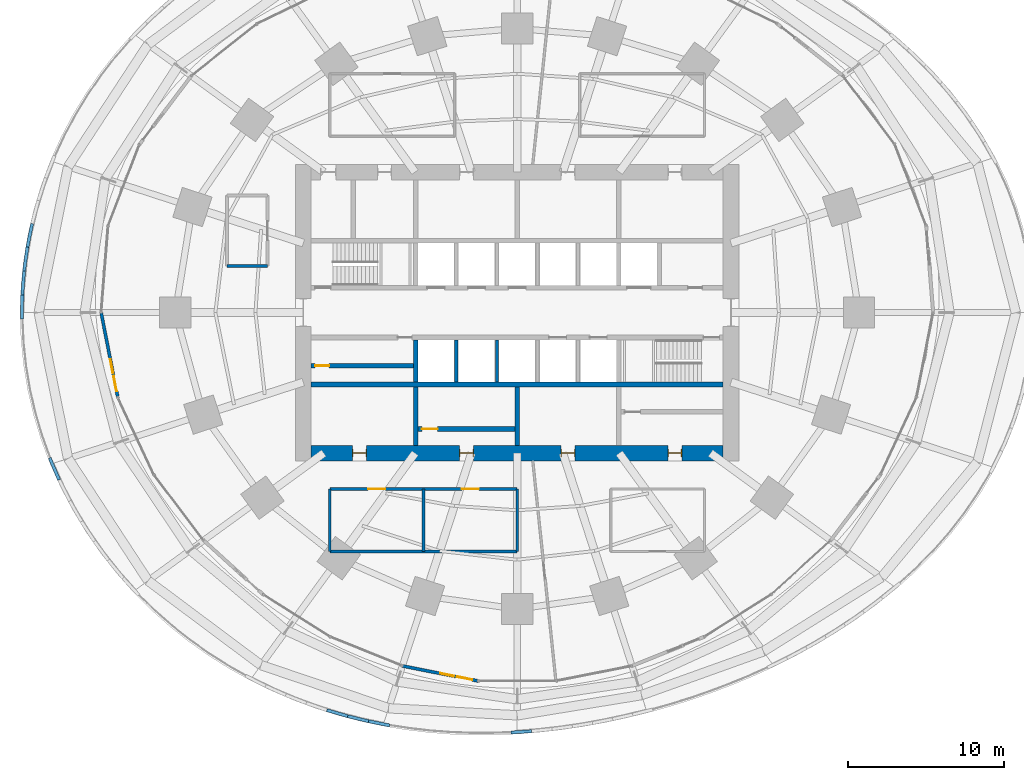
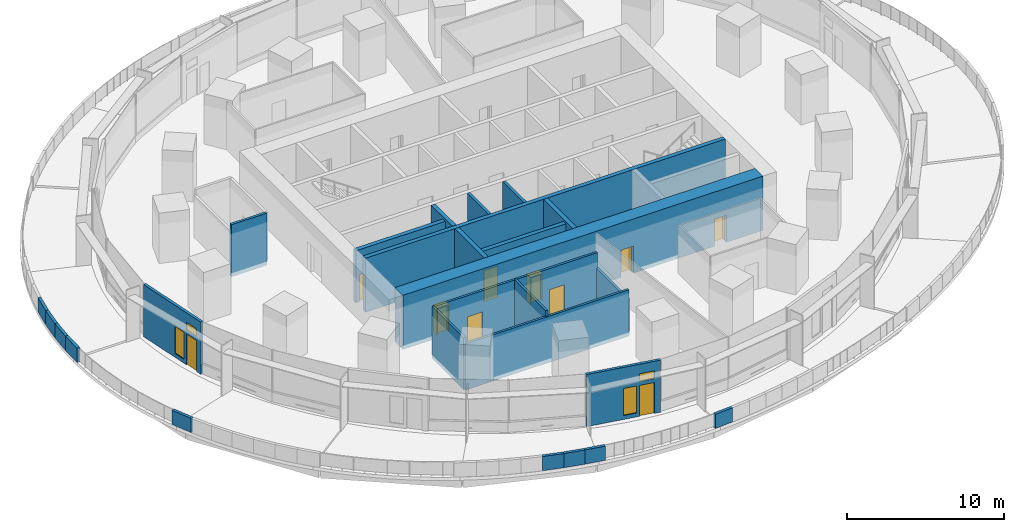
# One storey, part 12 of 20: 26 walls, 10 doors, 4 windows, 14 openings.
"""IFC4 building model written with IfcOpenShell, lengths in metres."""

from ifc_helpers import new_model, si_unit, direction, frame, frame_2d, origin, place, context, subcontext, project, spatial, rectangle, extrude, material, layer, layer_set, type_object, element, fill, save


model = new_model("IFC4")

# Units and contexts
model_context = context("Model", 3, precision=1e-05, world=origin(), true_north=direction((0.0, 1.0)))
body_context = subcontext(model_context, "Body", "Model", "MODEL_VIEW")
ifc_project = project(units=[si_unit("LENGTHUNIT", "METRE"), si_unit("AREAUNIT", "SQUARE_METRE"), si_unit("VOLUMEUNIT", "CUBIC_METRE"), si_unit("PLANEANGLEUNIT", "RADIAN"), si_unit("MASSUNIT", "GRAM", prefix="KILO")], contexts=[model_context])

# Site, building, storey
site_placement = place(None, origin())
site = spatial("IfcSite", under=ifc_project, at=site_placement, CompositionType="ELEMENT")
building_placement = place(site_placement, origin())
building = spatial("IfcBuilding", under=site, at=building_placement, Name="Marramba Exchange Tower", CompositionType="ELEMENT")
storey_placement = place(building_placement, frame((0.0, 0.0, 19.60009765625)))
storey = spatial("IfcBuildingStorey", under=building, at=storey_placement, Name="L04", CompositionType="ELEMENT", Elevation=19.60009765625)

# Wall
ifc_material_1 = material(Name="Plasterboard on staggered double steel studs, acoustic insulation", Category="steel")
ifc_layer_1 = layer(ifc_material_1, 0.169921875)
ifc_layer_set_1 = layer_set([ifc_layer_1], Name="Acoustic partition 170")
wall_type_1 = type_object("IfcWallType", Name="Acoustic partition 170", PredefinedType="PARTITIONING", material=ifc_layer_set_1)
wall_1_placement = place(storey_placement, frame((-12.0, -15.300048828125, 0.0), z_axis=(0.0, 0.0, 1.0), x_axis=(0.0, 1.0, 0.0)))
element("IfcWall", 1, at=wall_1_placement, inside=storey, type_object=wall_type_1, Name="Acoustic partition L04 01", PredefinedType="PARTITIONING", context=body_context, shape_type="SweptSolid", body=[
    extrude(rectangle(XDim=4.0, YDim=0.169921875, at=frame_2d((2.0, 0.0))), origin(), (0.0, 0.0, 1.0), 4.039794921875),
])

# Wall, openings, doors
wall_2_placement = place(storey_placement, frame((-12.0, -11.300048828125, 0.0), z_axis=(0.0, 0.0, 1.0), x_axis=(1.0, 0.0, 0.0)))
wall_2 = element("IfcWall", 2, at=wall_2_placement, inside=storey, type_object=wall_type_1, Name="Acoustic partition L04 02", PredefinedType="PARTITIONING", context=body_context, shape_type="SweptSolid", body=[
    extrude(rectangle(XDim=12.0, YDim=0.169921875, at=frame_2d((6.0, 0.0))), origin(), (0.0, 0.0, 1.0), 4.039794921875),
])
opening_1_placement = place(wall_2_placement, frame((2.449951171875, 0.0, 0.0)))
opening_1 = element("IfcOpeningElement", 3, at=opening_1_placement, cuts=wall_2, Name="Opening D15", PredefinedType="OPENING", context=body_context, shape_type="SweptSolid", body=[
    extrude(rectangle(XDim=1.10009765625, YDim=2.39990234375, at=frame_2d((0.550048828125, 1.199951171875))), frame((0.0, 0.094970703125, 0.0), z_axis=(0.0, -1.0, 0.0), x_axis=(1.0, 0.0, 0.0)), (0.0, 0.0, 1.0), 0.18994140625),
])
opening_2_placement = place(wall_2_placement, frame((8.449951171875, 0.0, 0.0)))
opening_2 = element("IfcOpeningElement", 4, at=opening_2_placement, cuts=wall_2, Name="Opening D15", PredefinedType="OPENING", context=body_context, shape_type="SweptSolid", body=[
    extrude(rectangle(XDim=1.10009765625, YDim=2.39990234375, at=frame_2d((0.550048828125, 1.199951171875))), frame((0.0, 0.094970703125, 0.0), z_axis=(0.0, -1.0, 0.0), x_axis=(1.0, 0.0, 0.0)), (0.0, 0.0, 1.0), 0.18994140625),
])
ifc_material_2 = material(Name="Timber door", Category="wood")
door_type_1 = type_object("IfcDoorType", Name="Glazed meeting room door 1100x2400", OperationType="SINGLE_SWING_LEFT", PredefinedType="DOOR", material=ifc_material_2)
door_1_placement = place(opening_1_placement, frame((1.10009765625, 0.0, 0.0), z_axis=(0.0, 0.0, 1.0), x_axis=(-1.0, 0.0, 0.0)))
door_1 = element("IfcDoor", 5, at=door_1_placement, inside=storey, type_object=door_type_1, Name="D15 Meeting Room 1 L04", OperationType="SINGLE_SWING_RIGHT", OverallHeight=2.39990234375, OverallWidth=1.10009765625, PredefinedType="DOOR", context=body_context, shape_type="SweptSolid", body=[
    extrude(rectangle(XDim=1.10009765625, YDim=2.39990234375, at=frame_2d((0.550048828125, 1.199951171875))), frame((0.0, 0.025146484375, 0.0), z_axis=(0.0, -1.0, 0.0), x_axis=(1.0, 0.0, 0.0)), (0.0, 0.0, 1.0), 0.050048828125),
])
fill(opening_1, door_1)
door_2_placement = place(opening_2_placement, frame((1.10009765625, 0.0, 0.0), z_axis=(0.0, 0.0, 1.0), x_axis=(-1.0, 0.0, 0.0)))
door_2 = element("IfcDoor", 6, at=door_2_placement, inside=storey, type_object=door_type_1, Name="D15 Meeting Room 2 L04", OperationType="SINGLE_SWING_RIGHT", OverallHeight=2.39990234375, OverallWidth=1.10009765625, PredefinedType="DOOR", context=body_context, shape_type="SweptSolid", body=[
    extrude(rectangle(XDim=1.10009765625, YDim=2.39990234375, at=frame_2d((0.550048828125, 1.199951171875))), frame((0.0, 0.025146484375, 0.0), z_axis=(0.0, -1.0, 0.0), x_axis=(1.0, 0.0, 0.0)), (0.0, 0.0, 1.0), 0.050048828125),
])
fill(opening_2, door_2)

# Walls
wall_3_placement = place(storey_placement, frame((-6.0, -11.300048828125, 0.0), z_axis=(0.0, 0.0, 1.0), x_axis=(0.0, -1.0, 0.0)))
element("IfcWall", 7, at=wall_3_placement, inside=storey, type_object=wall_type_1, Name="Acoustic partition L04 03", PredefinedType="PARTITIONING", context=body_context, shape_type="SweptSolid", body=[
    extrude(rectangle(XDim=4.0, YDim=0.169921875, at=frame_2d((2.0, 0.0))), origin(), (0.0, 0.0, 1.0), 4.039794921875),
])
wall_4_placement = place(storey_placement, frame((0.0, -15.300048828125, 0.0), z_axis=(0.0, 0.0, 1.0), x_axis=(-1.0, 0.0, 0.0)))
element("IfcWall", 8, at=wall_4_placement, inside=storey, type_object=wall_type_1, Name="Acoustic partition L04 04", PredefinedType="PARTITIONING", context=body_context, shape_type="SweptSolid", body=[
    extrude(rectangle(XDim=12.0, YDim=0.169921875, at=frame_2d((6.0, 0.0))), origin(), (0.0, 0.0, 1.0), 3.5859375),
])
wall_5_placement = place(storey_placement, frame((0.0, -11.300048828125, 0.0), z_axis=(0.0, 0.0, 1.0), x_axis=(0.0, -1.0, 0.0)))
element("IfcWall", 9, at=wall_5_placement, inside=storey, type_object=wall_type_1, Name="Acoustic partition L04 05", PredefinedType="PARTITIONING", context=body_context, shape_type="SweptSolid", body=[
    extrude(rectangle(XDim=4.0, YDim=0.169921875, at=frame_2d((2.0, 0.0))), origin(), (0.0, 0.0, 1.0), 2.83984375),
])
ifc_material_3 = material(Name="Concrete N50", Category="concrete")
ifc_layer_2 = layer(ifc_material_3, 0.199951171875)
ifc_layer_set_2 = layer_set([ifc_layer_2], Name="Core shaft wall 200")
wall_type_2 = type_object("IfcWallType", Name="Core shaft wall 200", PredefinedType="SHEAR", material=ifc_layer_set_2)
for number, where, z_axis, x_axis, name in (
    (10, (-3.89990234375, -1.75, 0.0), (0.0, 0.0, 1.0), (0.0, -1.0, 0.0), "Core wall SHS1 L04"),
    (11, (-1.300048828125, -1.75, 0.0), (0.0, 0.0, 1.0), (0.0, -1.0, 0.0), "Core wall SHS2 L04"),
):
    element("IfcWall", number, at=place(storey_placement, frame(where, z_axis=z_axis, x_axis=x_axis)), inside=storey, type_object=wall_type_2, Name=name, PredefinedType="SHEAR", context=body_context, shape_type="SweptSolid", body=[
        extrude(rectangle(XDim=2.699951171875, YDim=0.199951171875, at=frame_2d((1.35009765625, 0.0))), origin(), (0.0, 0.0, 1.0), 4.199951171875),
    ])

# Wall, openings, doors
ifc_layer_3 = layer(ifc_material_3, 1.0)
ifc_layer_set_3 = layer_set([ifc_layer_3], Name="Core wall 1000")
wall_type_3 = type_object("IfcWallType", Name="Core wall 1000", PredefinedType="SHEAR", material=ifc_layer_set_3)
wall_6_placement = place(storey_placement, frame((-13.199951171875, -9.0, 0.0), z_axis=(0.0, 0.0, 1.0), x_axis=(1.0, 0.0, 0.0)))
wall_6 = element("IfcWall", 12, at=wall_6_placement, inside=storey, type_object=wall_type_3, Name="Core wall S L04", PredefinedType="SHEAR", context=body_context, shape_type="SweptSolid", body=[
    extrude(rectangle(XDim=26.39990234375, YDim=1.0, at=frame_2d((13.199951171875, 0.0))), origin(), (0.0, 0.0, 1.0), 4.199951171875),
])
opening_3_placement = place(wall_6_placement, frame((2.64990234375, 0.0, 0.0)))
opening_3 = element("IfcOpeningElement", 13, at=opening_3_placement, cuts=wall_6, Name="Opening D5", PredefinedType="OPENING", context=body_context, shape_type="SweptSolid", body=[
    extrude(rectangle(XDim=0.89990234375, YDim=2.10009765625, at=frame_2d((0.449951171875, 1.050048828125))), frame((0.0, 0.510009765625, 0.0), z_axis=(0.0, -1.0, 0.0), x_axis=(1.0, 0.0, 0.0)), (0.0, 0.0, 1.0), 1.02001953125),
])
opening_4_placement = place(wall_6_placement, frame((9.5, 0.0, 0.0)))
opening_4 = element("IfcOpeningElement", 14, at=opening_4_placement, cuts=wall_6, Name="Opening D5", PredefinedType="OPENING", context=body_context, shape_type="SweptSolid", body=[
    extrude(rectangle(XDim=0.89990234375, YDim=2.10009765625, at=frame_2d((0.449951171875, 1.050048828125))), frame((0.0, 0.510009765625, 0.0), z_axis=(0.0, -1.0, 0.0), x_axis=(1.0, 0.0, 0.0)), (0.0, 0.0, 1.0), 1.02001953125),
])
opening_5_placement = place(wall_6_placement, frame((16.0, 0.0, 0.0)))
opening_5 = element("IfcOpeningElement", 15, at=opening_5_placement, cuts=wall_6, Name="Opening D5", PredefinedType="OPENING", context=body_context, shape_type="SweptSolid", body=[
    extrude(rectangle(XDim=0.89990234375, YDim=2.10009765625, at=frame_2d((0.449951171875, 1.050048828125))), frame((0.0, 0.510009765625, 0.0), z_axis=(0.0, -1.0, 0.0), x_axis=(1.0, 0.0, 0.0)), (0.0, 0.0, 1.0), 1.02001953125),
])
opening_6_placement = place(wall_6_placement, frame((22.85009765625, 0.0, 0.0)))
opening_6 = element("IfcOpeningElement", 16, at=opening_6_placement, cuts=wall_6, Name="Opening D5", PredefinedType="OPENING", context=body_context, shape_type="SweptSolid", body=[
    extrude(rectangle(XDim=0.89990234375, YDim=2.10009765625, at=frame_2d((0.449951171875, 1.050048828125))), frame((0.0, 0.510009765625, 0.0), z_axis=(0.0, -1.0, 0.0), x_axis=(1.0, 0.0, 0.0)), (0.0, 0.0, 1.0), 1.02001953125),
])
ifc_material_4 = material(Name="Steel-framed door", Category="steel")
door_type_2 = type_object("IfcDoorType", Name="Service door 900x2100", OperationType="SINGLE_SWING_LEFT", PredefinedType="DOOR", material=ifc_material_4)
door_3_placement = place(opening_3_placement, origin())
door_3 = element("IfcDoor", 17, at=door_3_placement, inside=storey, type_object=door_type_2, Name="D5 ahu L04", OperationType="SINGLE_SWING_LEFT", OverallHeight=2.10009765625, OverallWidth=0.89990234375, PredefinedType="DOOR", context=body_context, shape_type="SweptSolid", body=[
    extrude(rectangle(XDim=0.81982421875, YDim=2.06005859375, at=frame_2d((0.449951171875, 1.030029296875))), frame((0.0, 0.02490234375, 0.0), z_axis=(0.0, -1.0, 0.0), x_axis=(1.0, 0.0, 0.0)), (0.0, 0.0, 1.0), 0.050048828125),
    extrude(rectangle(XDim=0.04, YDim=2.10009765625, at=frame_2d((0.02001953125, 1.050048828125))), frame((0.0, 0.25, 0.0), z_axis=(0.0, -1.0, 0.0), x_axis=(1.0, 0.0, 0.0)), (0.0, 0.0, 1.0), 0.5),
    extrude(rectangle(XDim=0.04, YDim=2.10009765625, at=frame_2d((0.8798828125, 1.050048828125))), frame((0.0, 0.25, 0.0), z_axis=(0.0, -1.0, 0.0), x_axis=(1.0, 0.0, 0.0)), (0.0, 0.0, 1.0), 0.5),
    extrude(rectangle(XDim=0.81982421875, YDim=0.04, at=frame_2d((0.449951171875, 2.080078125))), frame((0.0, 0.25, 0.0), z_axis=(0.0, -1.0, 0.0), x_axis=(1.0, 0.0, 0.0)), (0.0, 0.0, 1.0), 0.5),
])
fill(opening_3, door_3)
door_4_placement = place(opening_4_placement, origin())
door_4 = element("IfcDoor", 18, at=door_4_placement, inside=storey, type_object=door_type_2, Name="D5 store L04", OperationType="SINGLE_SWING_RIGHT", OverallHeight=2.10009765625, OverallWidth=0.89990234375, PredefinedType="DOOR", context=body_context, shape_type="SweptSolid", body=[
    extrude(rectangle(XDim=0.81982421875, YDim=2.06005859375, at=frame_2d((0.449951171875, 1.030029296875))), frame((0.0, 0.02490234375, 0.0), z_axis=(0.0, -1.0, 0.0), x_axis=(1.0, 0.0, 0.0)), (0.0, 0.0, 1.0), 0.050048828125),
    extrude(rectangle(XDim=0.04, YDim=2.10009765625, at=frame_2d((0.02001953125, 1.050048828125))), frame((0.0, 0.25, 0.0), z_axis=(0.0, -1.0, 0.0), x_axis=(1.0, 0.0, 0.0)), (0.0, 0.0, 1.0), 0.5),
    extrude(rectangle(XDim=0.04, YDim=2.10009765625, at=frame_2d((0.8798828125, 1.050048828125))), frame((0.0, 0.25, 0.0), z_axis=(0.0, -1.0, 0.0), x_axis=(1.0, 0.0, 0.0)), (0.0, 0.0, 1.0), 0.5),
    extrude(rectangle(XDim=0.81982421875, YDim=0.04, at=frame_2d((0.449951171875, 2.080078125))), frame((0.0, 0.25, 0.0), z_axis=(0.0, -1.0, 0.0), x_axis=(1.0, 0.0, 0.0)), (0.0, 0.0, 1.0), 0.5),
])
fill(opening_4, door_4)
door_5_placement = place(opening_5_placement, origin())
door_5 = element("IfcDoor", 19, at=door_5_placement, inside=storey, type_object=door_type_2, Name="D5 switch L04", OperationType="SINGLE_SWING_RIGHT", OverallHeight=2.10009765625, OverallWidth=0.89990234375, PredefinedType="DOOR", context=body_context, shape_type="SweptSolid", body=[
    extrude(rectangle(XDim=0.81982421875, YDim=2.06005859375, at=frame_2d((0.449951171875, 1.030029296875))), frame((0.0, 0.02490234375, 0.0), z_axis=(0.0, -1.0, 0.0), x_axis=(1.0, 0.0, 0.0)), (0.0, 0.0, 1.0), 0.050048828125),
    extrude(rectangle(XDim=0.04, YDim=2.10009765625, at=frame_2d((0.02001953125, 1.050048828125))), frame((0.0, 0.25, 0.0), z_axis=(0.0, -1.0, 0.0), x_axis=(1.0, 0.0, 0.0)), (0.0, 0.0, 1.0), 0.5),
    extrude(rectangle(XDim=0.04, YDim=2.10009765625, at=frame_2d((0.8798828125, 1.050048828125))), frame((0.0, 0.25, 0.0), z_axis=(0.0, -1.0, 0.0), x_axis=(1.0, 0.0, 0.0)), (0.0, 0.0, 1.0), 0.5),
    extrude(rectangle(XDim=0.81982421875, YDim=0.04, at=frame_2d((0.449951171875, 2.080078125))), frame((0.0, 0.25, 0.0), z_axis=(0.0, -1.0, 0.0), x_axis=(1.0, 0.0, 0.0)), (0.0, 0.0, 1.0), 0.5),
])
fill(opening_5, door_5)
door_6_placement = place(opening_6_placement, origin())
door_6 = element("IfcDoor", 20, at=door_6_placement, inside=storey, type_object=door_type_2, Name="D5 cstore L04", OperationType="SINGLE_SWING_RIGHT", OverallHeight=2.10009765625, OverallWidth=0.89990234375, PredefinedType="DOOR", context=body_context, shape_type="SweptSolid", body=[
    extrude(rectangle(XDim=0.81982421875, YDim=2.06005859375, at=frame_2d((0.449951171875, 1.030029296875))), frame((0.0, 0.02490234375, 0.0), z_axis=(0.0, -1.0, 0.0), x_axis=(1.0, 0.0, 0.0)), (0.0, 0.0, 1.0), 0.050048828125),
    extrude(rectangle(XDim=0.04, YDim=2.10009765625, at=frame_2d((0.02001953125, 1.050048828125))), frame((0.0, 0.25, 0.0), z_axis=(0.0, -1.0, 0.0), x_axis=(1.0, 0.0, 0.0)), (0.0, 0.0, 1.0), 0.5),
    extrude(rectangle(XDim=0.04, YDim=2.10009765625, at=frame_2d((0.8798828125, 1.050048828125))), frame((0.0, 0.25, 0.0), z_axis=(0.0, -1.0, 0.0), x_axis=(1.0, 0.0, 0.0)), (0.0, 0.0, 1.0), 0.5),
    extrude(rectangle(XDim=0.81982421875, YDim=0.04, at=frame_2d((0.449951171875, 2.080078125))), frame((0.0, 0.25, 0.0), z_axis=(0.0, -1.0, 0.0), x_axis=(1.0, 0.0, 0.0)), (0.0, 0.0, 1.0), 0.5),
])
fill(opening_6, door_6)

# Walls
ifc_layer_4 = layer(ifc_material_3, 0.300048828125)
ifc_layer_set_4 = layer_set([ifc_layer_4], Name="Core wall 300")
wall_type_4 = type_object("IfcWallType", Name="Core wall 300", PredefinedType="SHEAR", material=ifc_layer_set_4)
wall_7_placement = place(storey_placement, frame((-13.199951171875, -4.60009765625, 0.0), z_axis=(0.0, 0.0, 1.0), x_axis=(1.0, 0.0, 0.0)))
element("IfcWall", 21, at=wall_7_placement, inside=storey, type_object=wall_type_4, Name="Core wall BS L04", PredefinedType="SHEAR", context=body_context, shape_type="SweptSolid", body=[
    extrude(rectangle(XDim=26.39990234375, YDim=0.300048828125, at=frame_2d((13.199951171875, 0.0))), origin(), (0.0, 0.0, 1.0), 4.199951171875),
])
wall_8_placement = place(storey_placement, frame((-6.5, -1.75, 0.0), z_axis=(0.0, 0.0, 1.0), x_axis=(0.0, -1.0, 0.0)))
element("IfcWall", 22, at=wall_8_placement, inside=storey, type_object=wall_type_4, Name="Core wall X0Sa L04", PredefinedType="SHEAR", context=body_context, shape_type="SweptSolid", body=[
    extrude(rectangle(XDim=2.699951171875, YDim=0.300048828125, at=frame_2d((1.35009765625, 0.0))), origin(), (0.0, 0.0, 1.0), 4.199951171875),
])
for number, where, z_axis, x_axis, name in (
    (23, (-6.5, -4.75, 0.0), (0.0, 0.0, 1.0), (0.0, -1.0, 0.0), "Core wall X0Sb L04"),
    (24, (0.0, -4.75, 0.0), (0.0, 0.0, 1.0), (0.0, -1.0, 0.0), "Core wall MS L04"),
):
    element("IfcWall", number, at=place(storey_placement, frame(where, z_axis=z_axis, x_axis=x_axis)), inside=storey, type_object=wall_type_4, Name=name, PredefinedType="SHEAR", context=body_context, shape_type="SweptSolid", body=[
        extrude(rectangle(XDim=3.75, YDim=0.300048828125, at=frame_2d((1.875, 0.0))), origin(), (0.0, 0.0, 1.0), 4.199951171875),
    ])

# Wall, openings, door, windows
ifc_material_5 = material(Name="Aluminium-framed bronze cladding on steel studs", Category="steel")
ifc_layer_5 = layer(ifc_material_5, 0.199951171875)
ifc_layer_set_5 = layer_set([ifc_layer_5], Name="Door screen wall 200")
wall_type_5 = type_object("IfcWallType", Name="Door screen wall 200", PredefinedType="SOLIDWALL", material=ifc_layer_set_5)
wall_9_placement = place(storey_placement, frame((-26.64990234375, 0.0, 0.0), z_axis=(0.0, 0.0, 1.0), x_axis=(0.192217304828, -0.981352387129, 0.0)))
wall_9 = element("IfcWall", 25, at=wall_9_placement, inside=storey, type_object=wall_type_5, Name="Door screen L04 F16", PredefinedType="SOLIDWALL", context=body_context, shape_type="SweptSolid", body=[
    extrude(rectangle(XDim=5.54150390625, YDim=0.199951171875, at=frame_2d((2.770751953125, 0.0))), origin(), (0.0, 0.0, 1.0), 4.039794921875),
])
opening_7_placement = place(wall_9_placement, frame((4.1416015625, 0.0, 0.0)))
opening_7 = element("IfcOpeningElement", 26, at=opening_7_placement, cuts=wall_9, Name="Opening D6", PredefinedType="OPENING", context=body_context, shape_type="SweptSolid", body=[
    extrude(rectangle(XDim=1.0, YDim=2.39990234375, at=frame_2d((0.5, 1.199951171875))), frame((0.0, 0.10986328125, 0.0), z_axis=(0.0, -1.0, 0.0), x_axis=(1.0, 0.0, 0.0)), (0.0, 0.0, 1.0), 0.219970703125),
])
opening_8_placement = place(wall_9_placement, frame((3.04150390625, 0.0, 0.300048828125)))
opening_8 = element("IfcOpeningElement", 27, at=opening_8_placement, cuts=wall_9, Name="Opening W4", PredefinedType="OPENING", context=body_context, shape_type="SweptSolid", body=[
    extrude(rectangle(XDim=0.89990234375, YDim=2.10009765625, at=frame_2d((0.449951171875, 1.050048828125))), frame((0.0, 0.10986328125, 0.0), z_axis=(0.0, -1.0, 0.0), x_axis=(1.0, 0.0, 0.0)), (0.0, 0.0, 1.0), 0.219970703125),
])
opening_9_placement = place(wall_9_placement, frame((4.1416015625, 0.0, 2.699951171875)))
opening_9 = element("IfcOpeningElement", 28, at=opening_9_placement, cuts=wall_9, Name="Opening W5", PredefinedType="OPENING", context=body_context, shape_type="SweptSolid", body=[
    extrude(rectangle(XDim=1.0, YDim=0.60009765625, at=frame_2d((0.5, 0.300048828125))), frame((0.0, 0.10986328125, 0.0), z_axis=(0.0, -1.0, 0.0), x_axis=(1.0, 0.0, 0.0)), (0.0, 0.0, 1.0), 0.219970703125),
])
ifc_material_6 = material(Name="Aluminium-framed glazed door, bronze", Category="aluminium")
door_type_3 = type_object("IfcDoorType", Name="Terrace door 1000x2400", OperationType="SINGLE_SWING_LEFT", PredefinedType="DOOR", material=ifc_material_6)
door_7_placement = place(opening_7_placement, frame((1.0, 0.0, 0.0), z_axis=(0.0, 0.0, 1.0), x_axis=(-1.0, 0.0, 0.0)))
door_7 = element("IfcDoor", 29, at=door_7_placement, inside=storey, type_object=door_type_3, Name="D6 L04", OperationType="SINGLE_SWING_RIGHT", OverallHeight=2.39990234375, OverallWidth=1.0, PredefinedType="DOOR", context=body_context, shape_type="SweptSolid", body=[
    extrude(rectangle(XDim=1.0, YDim=2.39990234375, at=frame_2d((0.5, 1.199951171875))), frame((0.0, 0.025146484375, 0.0), z_axis=(0.0, -1.0, 0.0), x_axis=(1.0, 0.0, 0.0)), (0.0, 0.0, 1.0), 0.050048828125),
])
fill(opening_7, door_7)
ifc_material_7 = material(Name="Aluminium-framed fixed light, bronze, double glazed", Category="aluminium")
window_type_1 = type_object("IfcWindowType", Name="Terrace sidelight 900x2100", PartitioningType="SINGLE_PANEL", PredefinedType="WINDOW", material=ifc_material_7)
window_1_placement = place(opening_8_placement, origin())
window_1 = element("IfcWindow", 30, at=window_1_placement, inside=storey, type_object=window_type_1, Name="W4 L04 F16 left", OverallHeight=2.10009765625, OverallWidth=0.89990234375, PartitioningType="SINGLE_PANEL", PredefinedType="WINDOW", context=body_context, shape_type="SweptSolid", body=[
    extrude(rectangle(XDim=0.89990234375, YDim=2.10009765625, at=frame_2d((0.449951171875, 1.050048828125))), frame((0.0, 0.030029296875, 0.0), z_axis=(0.0, -1.0, 0.0), x_axis=(1.0, 0.0, 0.0)), (0.0, 0.0, 1.0), 0.06005859375),
])
fill(opening_8, window_1)
window_type_2 = type_object("IfcWindowType", Name="Terrace transom light 1000x600", PartitioningType="SINGLE_PANEL", PredefinedType="WINDOW", material=ifc_material_7)
window_2_placement = place(opening_9_placement, origin())
window_2 = element("IfcWindow", 31, at=window_2_placement, inside=storey, type_object=window_type_2, Name="W5 L04 F16 over the door", OverallHeight=0.60009765625, OverallWidth=1.0, PartitioningType="SINGLE_PANEL", PredefinedType="WINDOW", context=body_context, shape_type="SweptSolid", body=[
    extrude(rectangle(XDim=1.0, YDim=0.60009765625, at=frame_2d((0.5, 0.300048828125))), frame((0.0, 0.030029296875, 0.0), z_axis=(0.0, -1.0, 0.0), x_axis=(1.0, 0.0, 0.0)), (0.0, 0.0, 1.0), 0.06005859375),
])
fill(opening_9, window_2)

wall_10_placement = place(storey_placement, frame((-7.35498046875, -22.63623046875, 0.0), z_axis=(0.0, 0.0, 1.0), x_axis=(0.981014785503, -0.193932953941, 0.0)))
wall_10 = element("IfcWall", 32, at=wall_10_placement, inside=storey, type_object=wall_type_5, Name="Door screen L04 F22", PredefinedType="SOLIDWALL", context=body_context, shape_type="SweptSolid", body=[
    extrude(rectangle(XDim=4.96875, YDim=0.199951171875, at=frame_2d((2.484375, 0.0))), origin(), (0.0, 0.0, 1.0), 4.039794921875),
])
opening_10_placement = place(wall_10_placement, frame((3.56884765625, 0.0, 0.0)))
opening_10 = element("IfcOpeningElement", 33, at=opening_10_placement, cuts=wall_10, Name="Opening D6", PredefinedType="OPENING", context=body_context, shape_type="SweptSolid", body=[
    extrude(rectangle(XDim=1.0, YDim=2.39990234375, at=frame_2d((0.5, 1.199951171875))), frame((0.0, 0.10986328125, 0.0), z_axis=(0.0, -1.0, 0.0), x_axis=(1.0, 0.0, 0.0)), (0.0, 0.0, 1.0), 0.219970703125),
])
opening_11_placement = place(wall_10_placement, frame((2.46875, 0.0, 0.300048828125)))
opening_11 = element("IfcOpeningElement", 34, at=opening_11_placement, cuts=wall_10, Name="Opening W4", PredefinedType="OPENING", context=body_context, shape_type="SweptSolid", body=[
    extrude(rectangle(XDim=0.89990234375, YDim=2.10009765625, at=frame_2d((0.449951171875, 1.050048828125))), frame((0.0, 0.10986328125, 0.0), z_axis=(0.0, -1.0, 0.0), x_axis=(1.0, 0.0, 0.0)), (0.0, 0.0, 1.0), 0.219970703125),
])
opening_12_placement = place(wall_10_placement, frame((3.56884765625, 0.0, 2.699951171875)))
opening_12 = element("IfcOpeningElement", 35, at=opening_12_placement, cuts=wall_10, Name="Opening W5", PredefinedType="OPENING", context=body_context, shape_type="SweptSolid", body=[
    extrude(rectangle(XDim=1.0, YDim=0.60009765625, at=frame_2d((0.5, 0.300048828125))), frame((0.0, 0.10986328125, 0.0), z_axis=(0.0, -1.0, 0.0), x_axis=(1.0, 0.0, 0.0)), (0.0, 0.0, 1.0), 0.219970703125),
])
door_8_placement = place(opening_10_placement, frame((1.0, 0.0, 0.0), z_axis=(0.0, 0.0, 1.0), x_axis=(-1.0, 0.0, 0.0)))
door_8 = element("IfcDoor", 36, at=door_8_placement, inside=storey, type_object=door_type_3, Name="D6 L04", OperationType="SINGLE_SWING_RIGHT", OverallHeight=2.39990234375, OverallWidth=1.0, PredefinedType="DOOR", context=body_context, shape_type="SweptSolid", body=[
    extrude(rectangle(XDim=1.0, YDim=2.39990234375, at=frame_2d((0.5, 1.199951171875))), frame((0.0, 0.025146484375, 0.0), z_axis=(0.0, -1.0, 0.0), x_axis=(1.0, 0.0, 0.0)), (0.0, 0.0, 1.0), 0.050048828125),
])
fill(opening_10, door_8)
window_3_placement = place(opening_11_placement, origin())
window_3 = element("IfcWindow", 37, at=window_3_placement, inside=storey, type_object=window_type_1, Name="W4 L04 F22 left", OverallHeight=2.10009765625, OverallWidth=0.89990234375, PartitioningType="SINGLE_PANEL", PredefinedType="WINDOW", context=body_context, shape_type="SweptSolid", body=[
    extrude(rectangle(XDim=0.89990234375, YDim=2.10009765625, at=frame_2d((0.449951171875, 1.050048828125))), frame((0.0, 0.030029296875, 0.0), z_axis=(0.0, -1.0, 0.0), x_axis=(1.0, 0.0, 0.0)), (0.0, 0.0, 1.0), 0.06005859375),
])
fill(opening_11, window_3)
window_4_placement = place(opening_12_placement, origin())
window_4 = element("IfcWindow", 38, at=window_4_placement, inside=storey, type_object=window_type_2, Name="W5 L04 F22 over the door", OverallHeight=0.60009765625, OverallWidth=1.0, PartitioningType="SINGLE_PANEL", PredefinedType="WINDOW", context=body_context, shape_type="SweptSolid", body=[
    extrude(rectangle(XDim=1.0, YDim=0.60009765625, at=frame_2d((0.5, 0.300048828125))), frame((0.0, 0.030029296875, 0.0), z_axis=(0.0, -1.0, 0.0), x_axis=(1.0, 0.0, 0.0)), (0.0, 0.0, 1.0), 0.06005859375),
])
fill(opening_12, window_4)

# Wall
ifc_material_8 = material(Name="Core-filled concrete blockwork, rendered", Category="masonry")
ifc_layer_6 = layer(ifc_material_8, 0.18994140625)
ifc_layer_set_6 = layer_set([ifc_layer_6], Name="Equipment room wall 190")
wall_type_6 = type_object("IfcWallType", Name="Equipment room wall 190", PredefinedType="SOLIDWALL", material=ifc_layer_set_6)
wall_11_placement = place(storey_placement, frame((-16.0, 3.0, 0.0), z_axis=(0.0, 0.0, 1.0), x_axis=(-1.0, 0.0, 0.0)))
element("IfcWall", 39, at=wall_11_placement, inside=storey, type_object=wall_type_6, Name="Equipment room wall L04 23", PredefinedType="SOLIDWALL", context=body_context, shape_type="SweptSolid", body=[
    extrude(rectangle(XDim=2.60009765625, YDim=0.18994140625, at=frame_2d((1.300048828125, 0.0))), origin(), (0.0, 0.0, 1.0), 4.039794921875),
])

# Wall, opening, door
ifc_material_9 = material(Name="Core-filled concrete blockwork", Category="masonry")
ifc_layer_7 = layer(ifc_material_9, 0.300048828125)
ifc_layer_set_7 = layer_set([ifc_layer_7], Name="Riser enclosure wall 300")
wall_type_7 = type_object("IfcWallType", Name="Riser enclosure wall 300", PredefinedType="SOLIDWALL", material=ifc_layer_set_7)
wall_12_placement = place(storey_placement, frame((-13.199951171875, -3.39990234375, 0.0), z_axis=(0.0, 0.0, 1.0), x_axis=(1.0, 0.0, 0.0)))
wall_12 = element("IfcWall", 40, at=wall_12_placement, inside=storey, type_object=wall_type_7, Name="Riser enclosure wall L04", PredefinedType="SOLIDWALL", context=body_context, shape_type="SweptSolid", body=[
    extrude(rectangle(XDim=6.550048828125, YDim=0.300048828125, at=frame_2d((3.27490234375, 0.0))), origin(), (0.0, 0.0, 1.0), 4.039794921875),
])
opening_13_placement = place(wall_12_placement, frame((0.25, 0.0, 0.0)))
opening_13 = element("IfcOpeningElement", 41, at=opening_13_placement, cuts=wall_12, Name="Opening D5", PredefinedType="OPENING", context=body_context, shape_type="SweptSolid", body=[
    extrude(rectangle(XDim=0.89990234375, YDim=2.10009765625, at=frame_2d((0.449951171875, 1.050048828125))), frame((0.0, 0.159912109375, 0.0), z_axis=(0.0, -1.0, 0.0), x_axis=(1.0, 0.0, 0.0)), (0.0, 0.0, 1.0), 0.320068359375),
])
door_9_placement = place(opening_13_placement, frame((0.89990234375, 0.0, 0.0), z_axis=(0.0, 0.0, 1.0), x_axis=(-1.0, 0.0, 0.0)))
door_9 = element("IfcDoor", 42, at=door_9_placement, inside=storey, type_object=door_type_2, Name="D5 electrical riser back L04", OperationType="SINGLE_SWING_RIGHT", OverallHeight=2.10009765625, OverallWidth=0.89990234375, PredefinedType="DOOR", context=body_context, shape_type="SweptSolid", body=[
    extrude(rectangle(XDim=0.89990234375, YDim=2.10009765625, at=frame_2d((0.449951171875, 1.050048828125))), frame((0.0, 0.025146484375, 0.0), z_axis=(0.0, -1.0, 0.0), x_axis=(1.0, 0.0, 0.0)), (0.0, 0.0, 1.0), 0.050048828125),
])
fill(opening_13, door_9)

# Walls
ifc_material_10 = material(Name="Concrete N40", Category="concrete")
ifc_layer_8 = layer(ifc_material_10, 0.199951171875)
ifc_layer_set_8 = layer_set([ifc_layer_8], Name="Roof parapet 200")
wall_type_8 = type_object("IfcWallType", Name="Roof parapet 200", PredefinedType="PARAPET", material=ifc_layer_set_8)
wall_13_placement = place(storey_placement, frame((-31.07470703125, 5.69970703125, 0.0), z_axis=(0.0, 0.0, 1.0), x_axis=(-0.196789144282, -0.980445833635, 0.0)))
element("IfcWall", 43, at=wall_13_placement, inside=storey, type_object=wall_type_8, Name="Parapet L04 bay 10", PredefinedType="PARAPET", context=body_context, shape_type="SweptSolid", body=[
    extrude(rectangle(XDim=1.53466796875, YDim=0.199951171875, at=frame_2d((0.767333984375, 0.0))), origin(), (0.0, 0.0, 1.0), 1.099853515625),
])
wall_14_placement = place(storey_placement, frame((-31.376708984375, 4.195068359375, 0.0), z_axis=(0.0, 0.0, 1.0), x_axis=(-0.136970761668, -0.990575090767, 0.0)))
element("IfcWall", 44, at=wall_14_placement, inside=storey, type_object=wall_type_8, Name="Parapet L04 bay 10", PredefinedType="PARAPET", context=body_context, shape_type="SweptSolid", body=[
    extrude(rectangle(XDim=1.536376953125, YDim=0.199951171875, at=frame_2d((0.76806640625, 0.0))), origin(), (0.0, 0.0, 1.0), 1.099853515625),
])
wall_15_placement = place(storey_placement, frame((-31.587158203125, 2.673095703125, 0.0), z_axis=(0.0, 0.0, 1.0), x_axis=(-0.076040940855, -0.997104696265, 0.0)))
element("IfcWall", 45, at=wall_15_placement, inside=storey, type_object=wall_type_8, Name="Parapet L04 bay 10", PredefinedType="PARAPET", context=body_context, shape_type="SweptSolid", body=[
    extrude(rectangle(XDim=1.537841796875, YDim=0.199951171875, at=frame_2d((0.76904296875, 0.0))), origin(), (0.0, 0.0, 1.0), 1.099853515625),
])
wall_16_placement = place(storey_placement, frame((-31.7041015625, 1.1396484375, 0.0), z_axis=(0.0, 0.0, 1.0), x_axis=(-0.014760296613, -0.999891060888, 0.0)))
element("IfcWall", 46, at=wall_16_placement, inside=storey, type_object=wall_type_8, Name="Parapet L04 bay 10", PredefinedType="PARAPET", context=body_context, shape_type="SweptSolid", body=[
    extrude(rectangle(XDim=1.538330078125, YDim=0.199951171875, at=frame_2d((0.76904296875, 0.0))), origin(), (0.0, 0.0, 1.0), 1.099853515625),
])
wall_17_placement = place(storey_placement, frame((-29.947265625, -9.31103515625, 0.0), z_axis=(0.0, 0.0, 1.0), x_axis=(0.394595388876, -0.918854982616, 0.0)))
element("IfcWall", 47, at=wall_17_placement, inside=storey, type_object=wall_type_8, Name="Parapet L04 bay 12", PredefinedType="PARAPET", context=body_context, shape_type="SweptSolid", body=[
    extrude(rectangle(XDim=1.525146484375, YDim=0.199951171875, at=frame_2d((0.7626953125, 0.0))), origin(), (0.0, 0.0, 1.0), 1.099853515625),
])
wall_18_placement = place(storey_placement, frame((-12.1923828125, -25.46875, 0.0), z_axis=(0.0, 0.0, 1.0), x_axis=(0.960314342055, -0.278919996494, 0.0)))
element("IfcWall", 48, at=wall_18_placement, inside=storey, type_object=wall_type_8, Name="Parapet L04 bay 14", PredefinedType="PARAPET", context=body_context, shape_type="SweptSolid", body=[
    extrude(rectangle(XDim=1.38916015625, YDim=0.199951171875, at=frame_2d((0.694580078125, 0.0))), origin(), (0.0, 0.0, 1.0), 1.099853515625),
])
wall_19_placement = place(storey_placement, frame((-10.8583984375, -25.856201171875, 0.0), z_axis=(0.0, 0.0, 1.0), x_axis=(0.97179603017, -0.235822975439, 0.0)))
element("IfcWall", 49, at=wall_19_placement, inside=storey, type_object=wall_type_8, Name="Parapet L04 bay 14", PredefinedType="PARAPET", context=body_context, shape_type="SweptSolid", body=[
    extrude(rectangle(XDim=1.37890625, YDim=0.199951171875, at=frame_2d((0.689453125, 0.0))), origin(), (0.0, 0.0, 1.0), 1.099853515625),
])
wall_20_placement = place(storey_placement, frame((-9.518310546875, -26.181396484375, 0.0), z_axis=(0.0, 0.0, 1.0), x_axis=(0.981105215977, -0.193474947171, 0.0)))
element("IfcWall", 50, at=wall_20_placement, inside=storey, type_object=wall_type_8, Name="Parapet L04 bay 14", PredefinedType="PARAPET", context=body_context, shape_type="SweptSolid", body=[
    extrude(rectangle(XDim=1.369140625, YDim=0.199951171875, at=frame_2d((0.6845703125, 0.0))), origin(), (0.0, 0.0, 1.0), 1.099853515625),
])
wall_21_placement = place(storey_placement, frame((-0.398681640625, -26.90185546875, 0.0), z_axis=(0.0, 0.0, 1.0), x_axis=(0.997774520525, 0.066678378732, 0.0)))
element("IfcWall", 51, at=wall_21_placement, inside=storey, type_object=wall_type_8, Name="Parapet L04 bay 16", PredefinedType="PARAPET", context=body_context, shape_type="SweptSolid", body=[
    extrude(rectangle(XDim=1.32177734375, YDim=0.199951171875, at=frame_2d((0.660888671875, 0.0))), origin(), (0.0, 0.0, 1.0), 1.099853515625),
])

# Wall, opening, door
ifc_material_11 = material(Name="Plasterboard on steel studs, insulated, unrated", Category="steel")
ifc_layer_9 = layer(ifc_material_11, 0.300048828125)
ifc_layer_set_9 = layer_set([ifc_layer_9], Name="Store partition 300")
wall_type_9 = type_object("IfcWallType", Name="Store partition 300", PredefinedType="PARTITIONING", material=ifc_layer_set_9)
wall_22_placement = place(storey_placement, frame((-6.35009765625, -7.4599609375, 0.0), z_axis=(0.0, 0.0, 1.0), x_axis=(1.0, 0.0, 0.0)))
wall_22 = element("IfcWall", 52, at=wall_22_placement, inside=storey, type_object=wall_type_9, Name="Store partition L04 store", PredefinedType="PARTITIONING", context=body_context, shape_type="SweptSolid", body=[
    extrude(rectangle(XDim=6.2001953125, YDim=0.300048828125, at=frame_2d((3.10009765625, 0.0))), origin(), (0.0, 0.0, 1.0), 4.039794921875),
])
opening_14_placement = place(wall_22_placement, frame((0.25, 0.0, 0.0)))
opening_14 = element("IfcOpeningElement", 53, at=opening_14_placement, cuts=wall_22, Name="Opening D9", PredefinedType="OPENING", context=body_context, shape_type="SweptSolid", body=[
    extrude(rectangle(XDim=1.0, YDim=2.39990234375, at=frame_2d((0.5, 1.199951171875))), frame((0.0, 0.159912109375, 0.0), z_axis=(0.0, -1.0, 0.0), x_axis=(1.0, 0.0, 0.0)), (0.0, 0.0, 1.0), 0.320068359375),
])
door_type_4 = type_object("IfcDoorType", Name="Room door 1000x2400", OperationType="SINGLE_SWING_LEFT", PredefinedType="DOOR", material=ifc_material_2)
door_10_placement = place(opening_14_placement, frame((1.0, 0.0, 0.0), z_axis=(0.0, 0.0, 1.0), x_axis=(-1.0, 0.0, 0.0)))
door_10 = element("IfcDoor", 54, at=door_10_placement, inside=storey, type_object=door_type_4, Name="D9 stationery store L04", OperationType="SINGLE_SWING_RIGHT", OverallHeight=2.39990234375, OverallWidth=1.0, PredefinedType="DOOR", context=body_context, shape_type="SweptSolid", body=[
    extrude(rectangle(XDim=1.0, YDim=2.39990234375, at=frame_2d((0.5, 1.199951171875))), frame((0.0, 0.025146484375, 0.0), z_axis=(0.0, -1.0, 0.0), x_axis=(1.0, 0.0, 0.0)), (0.0, 0.0, 1.0), 0.050048828125),
])
fill(opening_14, door_10)

save(model, "model.ifc")
